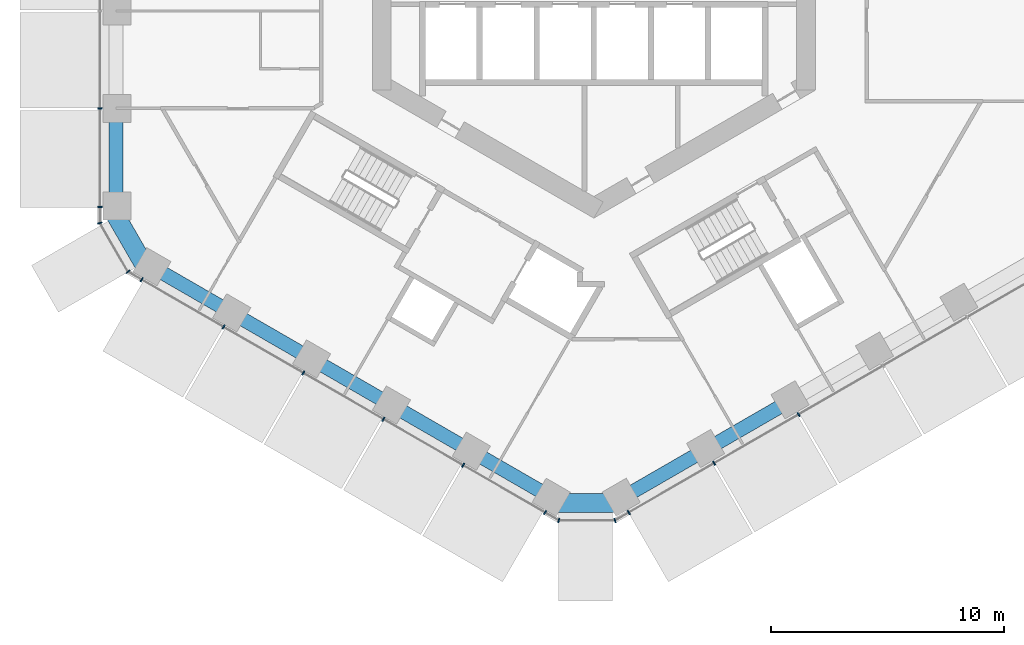
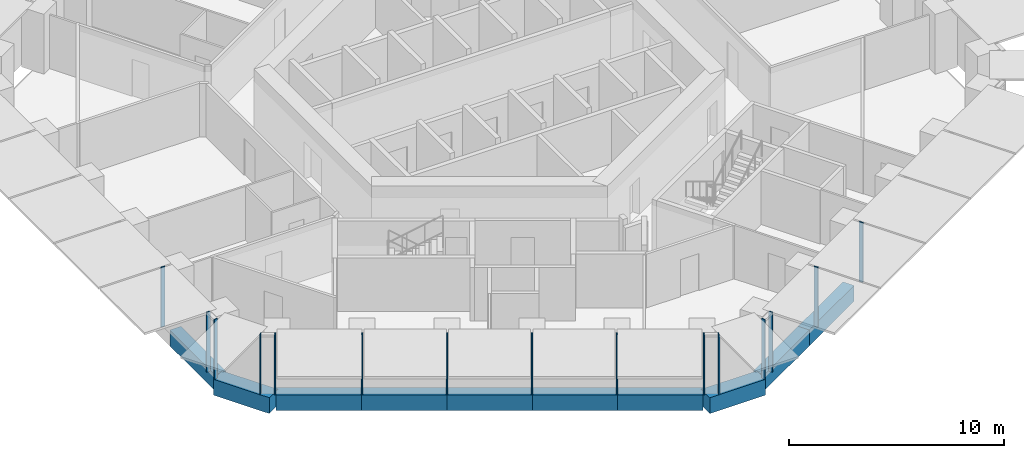
# One storey, part 2 of 19: 15 members, 10 beams, 5 elements without a shape of their own.
"""IFC4 building model written with IfcOpenShell, lengths in metres."""

from ifc_helpers import new_model, si_unit, direction, frame, origin, origin_2d, place, context, subcontext, project, spatial, rectangle, extrude, material, layer, layer_set, material_profile, profile_set, type_object, element, aggregate, save


model = new_model("IFC4")

# Units and contexts
model_context = context("Model", 3, precision=1e-05, world=origin(), true_north=direction((0.0, 1.0)))
body_context = subcontext(model_context, "Body", "Model", "MODEL_VIEW")
ifc_project = project(units=[si_unit("LENGTHUNIT", "METRE"), si_unit("AREAUNIT", "SQUARE_METRE"), si_unit("VOLUMEUNIT", "CUBIC_METRE"), si_unit("PLANEANGLEUNIT", "RADIAN"), si_unit("MASSUNIT", "GRAM", prefix="KILO")], contexts=[model_context])

# Site, building, storey
site_placement = place(None, origin())
site = spatial("IfcSite", under=ifc_project, at=site_placement, CompositionType="ELEMENT")
building_placement = place(site_placement, origin())
building = spatial("IfcBuilding", under=site, at=building_placement, Name="Ayvan Gate Tower", CompositionType="ELEMENT")
storey_placement = place(building_placement, frame((0.0, 0.0, 42.5)))
storey = spatial("IfcBuildingStorey", under=building, at=storey_placement, Name="L10", CompositionType="ELEMENT", Elevation=42.5)

# Beams
ifc_material_1 = material(Name="Concrete C40/50", Category="concrete")
ifc_material_profile_1 = material_profile(ifc_material_1, rectangle(XDim=0.800048828125, YDim=0.89990234375, at=origin_2d()), Name="RC 800x900")
ifc_profile_set_1 = profile_set([ifc_material_profile_1], Name="Concrete C40/50")
beam_type_1 = type_object("IfcBeamType", Name="Corner spandrel beam RC 800x900 C40/50", PredefinedType="BEAM", material=ifc_profile_set_1)
for number, where, z_axis, x_axis, name in (
    (1, (-20.6923828125, -10.541259765625, -0.800048828125), (0.499990139034, -0.866031096941, 0.0), (0.866031096941, 0.499990139034, 0.0), "SB-L10-24"),
    (2, (-1.78271484375, -23.190673828125, -0.800048828125), (1.0, 0.0, 0.0), (0.0, 1.0, 0.0), "SB-L10-30"),
):
    element("IfcBeam", number, at=place(storey_placement, frame(where, z_axis=z_axis, x_axis=x_axis)), inside=storey, type_object=beam_type_1, Name=name, PredefinedType="BEAM", context=body_context, shape_type="SweptSolid", body=[
        extrude(rectangle(XDim=0.800048828125, YDim=0.89990234375, at=origin_2d()), origin(), (0.0, 0.0, 1.0), 3.0),
    ])
ifc_material_profile_2 = material_profile(ifc_material_1, rectangle(XDim=0.60009765625, YDim=0.89990234375, at=origin_2d()), Name="RC 600x900")
ifc_profile_set_2 = profile_set([ifc_material_profile_2], Name="Concrete C40/50")
beam_type_2 = type_object("IfcBeamType", Name="Spandrel beam RC 600x900 C40/50", PredefinedType="BEAM", material=ifc_profile_set_2)
beam_1_placement = place(storey_placement, frame((-20.501953125, -6.2587890625, -0.800048828125), z_axis=(0.0, -1.0, 0.0), x_axis=(1.0, 0.0, 0.0)))
element("IfcBeam", 3, at=beam_1_placement, inside=storey, type_object=beam_type_2, Name="SB-L10-23", PredefinedType="BEAM", context=body_context, shape_type="SweptSolid", body=[
    extrude(rectangle(XDim=0.60009765625, YDim=0.89990234375, at=origin_2d()), origin(), (0.0, 0.0, 1.0), 4.17236328125),
])
for number, where, z_axis, x_axis, name in (
    (4, (-19.001953125, -13.029296875, -0.800048828125), (0.866028139243, -0.499995262016, 0.0), (0.499995262016, 0.866028139243, 0.0), "SB-L10-25"),
    (5, (-15.55810546875, -15.017578125, -0.800048828125), (0.866028139243, -0.499995262016, 0.0), (0.499995262016, 0.866028139243, 0.0), "SB-L10-26"),
    (6, (-12.1142578125, -17.005859375, -0.800048828125), (0.866028139243, -0.499995262016, 0.0), (0.499995262016, 0.866028139243, 0.0), "SB-L10-27"),
    (7, (-8.67041015625, -18.994140625, -0.800048828125), (0.866028139243, -0.499995262016, 0.0), (0.499995262016, 0.866028139243, 0.0), "SB-L10-28"),
    (8, (-5.2265625, -20.982421875, -0.800048828125), (0.866028139243, -0.499995262016, 0.0), (0.499995262016, 0.866028139243, 0.0), "SB-L10-29"),
):
    element("IfcBeam", number, at=place(storey_placement, frame(where, z_axis=z_axis, x_axis=x_axis)), inside=storey, type_object=beam_type_2, Name=name, PredefinedType="BEAM", context=body_context, shape_type="SweptSolid", body=[
        extrude(rectangle(XDim=0.60009765625, YDim=0.89990234375, at=origin_2d()), origin(), (0.0, 0.0, 1.0), 3.9765625),
    ])
beam_2_placement = place(storey_placement, frame((1.21728515625, -22.970703125, -0.800048828125), z_axis=(0.866034558547, 0.499984143151, 0.0), x_axis=(-0.499984143151, 0.866034558547, 0.0)))
element("IfcBeam", 9, at=beam_2_placement, inside=storey, type_object=beam_type_2, Name="SB-L10-31", PredefinedType="BEAM", context=body_context, shape_type="SweptSolid", body=[
    extrude(rectangle(XDim=0.60009765625, YDim=0.89990234375, at=origin_2d()), origin(), (0.0, 0.0, 1.0), 4.172607421875),
])
beam_3_placement = place(storey_placement, frame((4.830810546875, -20.884521484375, -0.800048828125), z_axis=(0.866019930389, 0.500009480079, 0.0), x_axis=(-0.500009480079, 0.866019930389, 0.0)))
element("IfcBeam", 10, at=beam_3_placement, inside=storey, type_object=beam_type_2, Name="SB-L10-32", PredefinedType="BEAM", context=body_context, shape_type="SweptSolid", body=[
    extrude(rectangle(XDim=0.60009765625, YDim=0.89990234375, at=origin_2d()), origin(), (0.0, 0.0, 1.0), 4.17236328125),
])

# Curtain wall, members
ifc_material_2 = material(Name="Bronze anodised aluminium", Category="aluminium")
ifc_layer_1 = layer(ifc_material_2, 0.199951171875)
ifc_layer_set_1 = layer_set([ifc_layer_1], Name="Bronze anodised aluminium")
curtain_wall_type_1 = type_object("IfcCurtainWallType", Name="Stick curtain wall CW-1", PredefinedType="NOTDEFINED", material=ifc_layer_set_1)
curtain_wall_1_placement = place(storey_placement, origin())
curtain_wall_1 = element("IfcCurtainWall", 11, at=curtain_wall_1_placement, inside=storey, type_object=curtain_wall_type_1, Name="Stick curtain wall CW-1 L10", PredefinedType="NOTDEFINED")
ifc_material_profile_3 = material_profile(ifc_material_2, rectangle(XDim=0.199951171875, YDim=0.06005859375, at=origin_2d()), Name="Stick curtain wall CW-1 mullion 200 x 60")
ifc_profile_set_3 = profile_set([ifc_material_profile_3], Name="Bronze anodised aluminium")
member_type_1 = type_object("IfcMemberType", Name="Stick curtain wall CW-1 mullion 200 x 60", PredefinedType="MULLION", material=ifc_profile_set_3)
member_1_placement = place(storey_placement, frame((-21.18798828125, -6.273681640625, 0.0), z_axis=(0.0, 0.0, 1.0), x_axis=(-1.0, 0.0, 0.0)))
member_1 = element("IfcMember", 12, at=member_1_placement, type_object=member_type_1, Name="CW-1 mullion 5", PredefinedType="MULLION", context=body_context, shape_type="SweptSolid", body=[
    extrude(rectangle(XDim=0.199951171875, YDim=0.06005859375, at=origin_2d()), origin(), (0.0, 0.0, 1.0), 3.39990234375),
])
member_2_placement = place(storey_placement, frame((-21.18798828125, -10.50146484375, 0.0), z_axis=(0.0, 0.0, 1.0), x_axis=(-1.0, 0.0, 0.0)))
member_2 = element("IfcMember", 13, at=member_2_placement, type_object=member_type_1, Name="CW-1 mullion 6", PredefinedType="MULLION", context=body_context, shape_type="SweptSolid", body=[
    extrude(rectangle(XDim=0.199951171875, YDim=0.06005859375, at=origin_2d()), origin(), (0.0, 0.0, 1.0), 3.39990234375),
])
aggregate(curtain_wall_1, [member_1, member_2])

curtain_wall_2_placement = place(storey_placement, origin())
curtain_wall_2 = element("IfcCurtainWall", 14, at=curtain_wall_2_placement, inside=storey, type_object=curtain_wall_type_1, Name="Stick curtain wall CW-1 L10", PredefinedType="NOTDEFINED")
member_3_placement = place(storey_placement, frame((-19.3916015625, -13.612548828125, 0.0), z_axis=(0.0, 0.0, 1.0), x_axis=(-0.5, -0.866025403784, 0.0)))
member_3 = element("IfcMember", 15, at=member_3_placement, type_object=member_type_1, Name="CW-1 mullion 1", PredefinedType="MULLION", context=body_context, shape_type="SweptSolid", body=[
    extrude(rectangle(XDim=0.199951171875, YDim=0.06005859375, at=origin_2d()), origin(), (0.0, 0.0, 1.0), 3.39990234375),
])
member_4_placement = place(storey_placement, frame((-15.881591796875, -15.638916015625, 0.0), z_axis=(0.0, 0.0, 1.0), x_axis=(-0.5, -0.866025403784, 0.0)))
member_4 = element("IfcMember", 16, at=member_4_placement, type_object=member_type_1, Name="CW-1 mullion 2", PredefinedType="MULLION", context=body_context, shape_type="SweptSolid", body=[
    extrude(rectangle(XDim=0.199951171875, YDim=0.06005859375, at=origin_2d()), origin(), (0.0, 0.0, 1.0), 3.39990234375),
])
member_5_placement = place(storey_placement, frame((-12.455810546875, -17.616943359375, 0.0), z_axis=(0.0, 0.0, 1.0), x_axis=(-0.5, -0.866025403784, 0.0)))
member_5 = element("IfcMember", 17, at=member_5_placement, type_object=member_type_1, Name="CW-1 mullion 3", PredefinedType="MULLION", context=body_context, shape_type="SweptSolid", body=[
    extrude(rectangle(XDim=0.199951171875, YDim=0.06005859375, at=origin_2d()), origin(), (0.0, 0.0, 1.0), 3.39990234375),
])
member_6_placement = place(storey_placement, frame((-9.02880859375, -19.595458984375, 0.0), z_axis=(0.0, 0.0, 1.0), x_axis=(-0.5, -0.866025403784, 0.0)))
member_6 = element("IfcMember", 18, at=member_6_placement, type_object=member_type_1, Name="CW-1 mullion 4", PredefinedType="MULLION", context=body_context, shape_type="SweptSolid", body=[
    extrude(rectangle(XDim=0.199951171875, YDim=0.06005859375, at=origin_2d()), origin(), (0.0, 0.0, 1.0), 3.39990234375),
])
member_7_placement = place(storey_placement, frame((-5.602783203125, -21.573486328125, 0.0), z_axis=(0.0, 0.0, 1.0), x_axis=(-0.5, -0.866025403784, 0.0)))
member_7 = element("IfcMember", 19, at=member_7_placement, type_object=member_type_1, Name="CW-1 mullion 5", PredefinedType="MULLION", context=body_context, shape_type="SweptSolid", body=[
    extrude(rectangle(XDim=0.199951171875, YDim=0.06005859375, at=origin_2d()), origin(), (0.0, 0.0, 1.0), 3.39990234375),
])
member_8_placement = place(storey_placement, frame((-2.093017578125, -23.599853515625, 0.0), z_axis=(0.0, 0.0, 1.0), x_axis=(-0.5, -0.866025403784, 0.0)))
member_8 = element("IfcMember", 20, at=member_8_placement, type_object=member_type_1, Name="CW-1 mullion 6", PredefinedType="MULLION", context=body_context, shape_type="SweptSolid", body=[
    extrude(rectangle(XDim=0.199951171875, YDim=0.06005859375, at=origin_2d()), origin(), (0.0, 0.0, 1.0), 3.39990234375),
])
aggregate(curtain_wall_2, [member_3, member_4, member_5, member_6, member_7, member_8])

curtain_wall_3_placement = place(storey_placement, origin())
curtain_wall_3 = element("IfcCurtainWall", 21, at=curtain_wall_3_placement, inside=storey, type_object=curtain_wall_type_1, Name="Stick curtain wall CW-1 L10", PredefinedType="NOTDEFINED")
member_9_placement = place(storey_placement, frame((1.49951171875, -23.599853515625, 0.0), z_axis=(0.0, 0.0, 1.0), x_axis=(0.5, -0.866025403784, 0.0)))
member_9 = element("IfcMember", 22, at=member_9_placement, type_object=member_type_1, Name="CW-1 mullion 1", PredefinedType="MULLION", context=body_context, shape_type="SweptSolid", body=[
    extrude(rectangle(XDim=0.199951171875, YDim=0.06005859375, at=origin_2d()), origin(), (0.0, 0.0, 1.0), 3.39990234375),
])
member_10_placement = place(storey_placement, frame((5.160888671875, -21.48583984375, 0.0), z_axis=(0.0, 0.0, 1.0), x_axis=(0.5, -0.866025403784, 0.0)))
member_10 = element("IfcMember", 23, at=member_10_placement, type_object=member_type_1, Name="CW-1 mullion 2", PredefinedType="MULLION", context=body_context, shape_type="SweptSolid", body=[
    extrude(rectangle(XDim=0.199951171875, YDim=0.06005859375, at=origin_2d()), origin(), (0.0, 0.0, 1.0), 3.39990234375),
])
member_11_placement = place(storey_placement, frame((8.78271484375, -19.39501953125, 0.0), z_axis=(0.0, 0.0, 1.0), x_axis=(0.5, -0.866025403784, 0.0)))
member_11 = element("IfcMember", 24, at=member_11_placement, type_object=member_type_1, Name="CW-1 mullion 3", PredefinedType="MULLION", context=body_context, shape_type="SweptSolid", body=[
    extrude(rectangle(XDim=0.199951171875, YDim=0.06005859375, at=origin_2d()), origin(), (0.0, 0.0, 1.0), 3.39990234375),
])
aggregate(curtain_wall_3, [member_9, member_10, member_11])

ifc_layer_2 = layer(ifc_material_2, 0.199951171875)
ifc_layer_set_2 = layer_set([ifc_layer_2], Name="Bronze anodised aluminium")
curtain_wall_type_2 = type_object("IfcCurtainWallType", Name="Stick curtain wall CW-6", PredefinedType="NOTDEFINED", material=ifc_layer_set_2)
curtain_wall_4_placement = place(storey_placement, origin())
curtain_wall_4 = element("IfcCurtainWall", 25, at=curtain_wall_4_placement, inside=storey, type_object=curtain_wall_type_2, Name="Stick curtain wall CW-6 L10", PredefinedType="NOTDEFINED")
ifc_material_profile_4 = material_profile(ifc_material_2, rectangle(XDim=0.199951171875, YDim=0.050048828125, at=origin_2d()), Name="Stick curtain wall CW-6 mullion 200 x 50")
ifc_profile_set_4 = profile_set([ifc_material_profile_4], Name="Bronze anodised aluminium")
member_type_2 = type_object("IfcMemberType", Name="Stick curtain wall CW-6 mullion 200 x 50", PredefinedType="MULLION", material=ifc_profile_set_4)
member_12_placement = place(storey_placement, frame((-21.18798828125, -11.181396484375, 0.0), z_axis=(0.0, 0.0, 1.0), x_axis=(-0.965925826289, -0.258819045103, 0.0)))
member_12 = element("IfcMember", 26, at=member_12_placement, type_object=member_type_2, Name="CW-6 mullion 2", PredefinedType="MULLION", context=body_context, shape_type="SweptSolid", body=[
    extrude(rectangle(XDim=0.199951171875, YDim=0.050048828125, at=origin_2d()), origin(), (0.0, 0.0, 1.0), 3.39990234375),
])
member_13_placement = place(storey_placement, frame((-19.980712890625, -13.2724609375, 0.0), z_axis=(0.0, 0.0, 1.0), x_axis=(-0.707106781187, -0.707106781187, 0.0)))
member_13 = element("IfcMember", 27, at=member_13_placement, type_object=member_type_2, Name="CW-6 mullion 3", PredefinedType="MULLION", context=body_context, shape_type="SweptSolid", body=[
    extrude(rectangle(XDim=0.199951171875, YDim=0.050048828125, at=origin_2d()), origin(), (0.0, 0.0, 1.0), 3.39990234375),
])
aggregate(curtain_wall_4, [member_12, member_13])

curtain_wall_5_placement = place(storey_placement, origin())
curtain_wall_5 = element("IfcCurtainWall", 28, at=curtain_wall_5_placement, inside=storey, type_object=curtain_wall_type_2, Name="Stick curtain wall CW-6 L10", PredefinedType="NOTDEFINED")
member_14_placement = place(storey_placement, frame((-1.50390625, -23.93994140625, 0.0), z_axis=(0.0, 0.0, 1.0), x_axis=(-0.258819045103, -0.965925826289, 0.0)))
member_14 = element("IfcMember", 29, at=member_14_placement, type_object=member_type_2, Name="CW-6 mullion 2", PredefinedType="MULLION", context=body_context, shape_type="SweptSolid", body=[
    extrude(rectangle(XDim=0.199951171875, YDim=0.050048828125, at=origin_2d()), origin(), (0.0, 0.0, 1.0), 3.39990234375),
])
member_15_placement = place(storey_placement, frame((0.91064453125, -23.93994140625, 0.0), z_axis=(0.0, 0.0, 1.0), x_axis=(0.258819045103, -0.965925826289, 0.0)))
member_15 = element("IfcMember", 30, at=member_15_placement, type_object=member_type_2, Name="CW-6 mullion 3", PredefinedType="MULLION", context=body_context, shape_type="SweptSolid", body=[
    extrude(rectangle(XDim=0.199951171875, YDim=0.050048828125, at=origin_2d()), origin(), (0.0, 0.0, 1.0), 3.39990234375),
])
aggregate(curtain_wall_5, [member_14, member_15])

save(model, "model.ifc")
